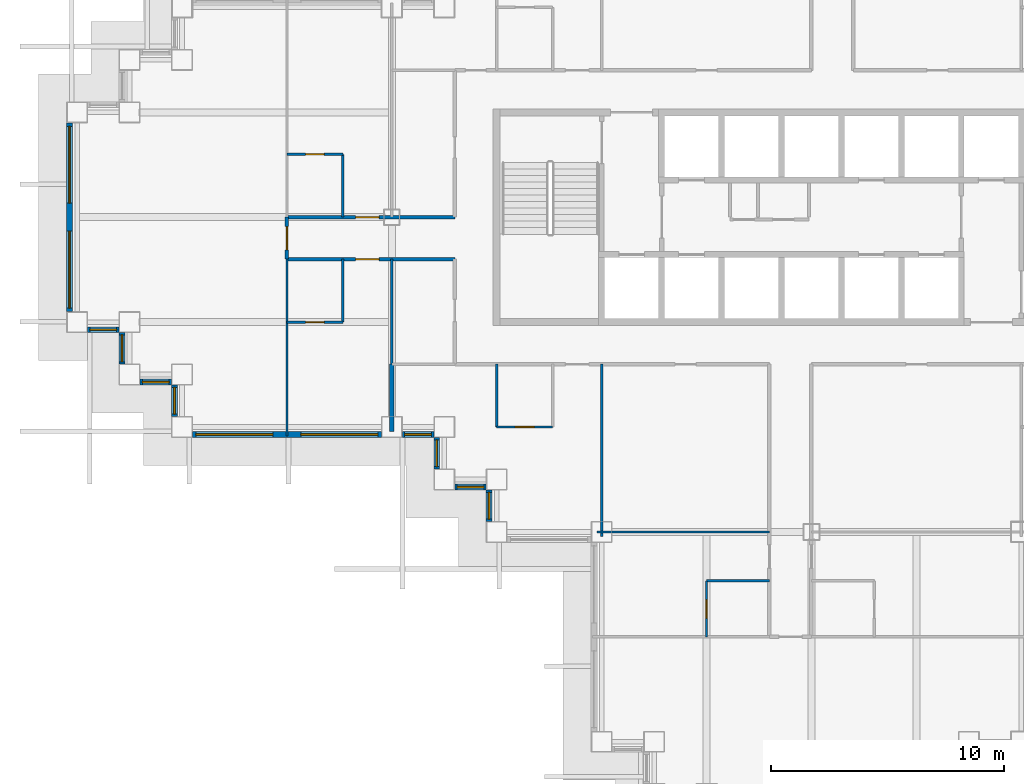
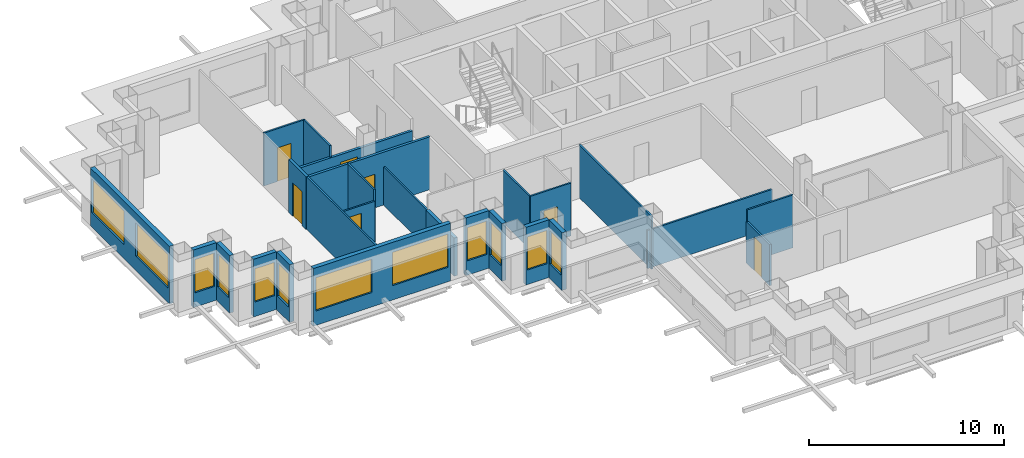
# One storey, part 3 of 15: 26 walls, 12 windows, 7 doors, 19 openings.
"""IFC4 building model written with IfcOpenShell, lengths in metres."""

from ifc_helpers import new_model, si_unit, direction, frame, frame_2d, origin, place, context, subcontext, project, spatial, rectangle, extrude, material, layer, layer_set, type_object, element, fill, save


model = new_model("IFC4")

# Units and contexts
model_context = context("Model", 3, precision=1e-05, world=origin(), true_north=direction((0.0, 1.0)))
body_context = subcontext(model_context, "Body", "Model", "MODEL_VIEW")
ifc_project = project(units=[si_unit("LENGTHUNIT", "METRE"), si_unit("AREAUNIT", "SQUARE_METRE"), si_unit("VOLUMEUNIT", "CUBIC_METRE"), si_unit("PLANEANGLEUNIT", "RADIAN"), si_unit("MASSUNIT", "GRAM", prefix="KILO")], contexts=[model_context])

# Site, building, storey
site_placement = place(None, origin())
site = spatial("IfcSite", under=ifc_project, at=site_placement, CompositionType="ELEMENT")
building_placement = place(site_placement, origin())
building = spatial("IfcBuilding", under=site, at=building_placement, Name="Caravel Reach Hotel and Residences", CompositionType="ELEMENT")
storey_placement = place(building_placement, frame((0.0, 0.0, 111.60009765625)))
storey = spatial("IfcBuildingStorey", under=building, at=storey_placement, Name="L27", CompositionType="ELEMENT", Elevation=111.60009765625)

# Wall
ifc_material_1 = material(Name="Gypsum board on steel stud", Category="steel")
ifc_layer_1 = layer(ifc_material_1, 0.10009765625)
ifc_layer_set_1 = layer_set([ifc_layer_1], Name="Bathroom pod wall 100 mm")
wall_type_1 = type_object("IfcWallType", Name="Bathroom pod wall 100 mm", PredefinedType="PARTITIONING", material=ifc_layer_set_1)
wall_1_placement = place(storey_placement, frame((27.0, 11.39990234375, 0.0), z_axis=(0.0, 0.0, 1.0), x_axis=(1.0, 0.0, 0.0)))
element("IfcWall", 1, at=wall_1_placement, inside=storey, type_object=wall_type_1, Name="L27 wall w068", PredefinedType="PARTITIONING", context=body_context, shape_type="SweptSolid", body=[
    extrude(rectangle(XDim=2.699951171875, YDim=0.10009765625, at=frame_2d((1.35009765625, 0.0))), origin(), (0.0, 0.0, 1.0), 3.2998046875),
])

# Wall, opening, door
wall_2_placement = place(storey_placement, frame((18.0, 18.0, 0.0), z_axis=(0.0, 0.0, 1.0), x_axis=(1.0, 0.0, 0.0)))
wall_2 = element("IfcWall", 2, at=wall_2_placement, inside=storey, type_object=wall_type_1, Name="L27 wall w069", PredefinedType="PARTITIONING", context=body_context, shape_type="SweptSolid", body=[
    extrude(rectangle(XDim=2.39990234375, YDim=0.10009765625, at=frame_2d((1.199951171875, 0.0))), origin(), (0.0, 0.0, 1.0), 3.2998046875),
])
opening_1_placement = place(wall_2_placement, frame((0.800048828125, 0.0, 0.0)))
opening_1 = element("IfcOpeningElement", 3, at=opening_1_placement, cuts=wall_2, Name="Opening D27-046", PredefinedType="OPENING", context=body_context, shape_type="SweptSolid", body=[
    extrude(rectangle(XDim=0.800048828125, YDim=2.10009765625, at=frame_2d((0.39990234375, 1.050048828125))), frame((0.0, 0.06005859375, 0.0), z_axis=(0.0, -1.0, 0.0), x_axis=(1.0, 0.0, 0.0)), (0.0, 0.0, 1.0), 0.1201171875),
])
ifc_material_2 = material(Name="Timber and steel door leaf", Category="steel")
door_type_1 = type_object("IfcDoorType", Name="Bathroom door 800 x 2100", OperationType="SINGLE_SWING_LEFT", PredefinedType="DOOR", material=ifc_material_2)
door_1_placement = place(opening_1_placement, origin())
door_1 = element("IfcDoor", 4, at=door_1_placement, inside=storey, type_object=door_type_1, Name="door D27-046", OperationType="SINGLE_SWING_LEFT", OverallHeight=2.10009765625, OverallWidth=0.800048828125, PredefinedType="DOOR", context=body_context, shape_type="SweptSolid", body=[
    extrude(rectangle(XDim=0.800048828125, YDim=2.10009765625, at=frame_2d((0.39990234375, 1.050048828125))), frame((0.0, 0.02490234375, 0.0), z_axis=(0.0, -1.0, 0.0), x_axis=(1.0, 0.0, 0.0)), (0.0, 0.0, 1.0), 0.050048828125),
])
fill(opening_1, door_1)

wall_3_placement = place(storey_placement, frame((9.0, 22.5, 0.0), z_axis=(0.0, 0.0, 1.0), x_axis=(1.0, 0.0, 0.0)))
wall_3 = element("IfcWall", 5, at=wall_3_placement, inside=storey, type_object=wall_type_1, Name="L27 wall w071", PredefinedType="PARTITIONING", context=body_context, shape_type="SweptSolid", body=[
    extrude(rectangle(XDim=2.39990234375, YDim=0.10009765625, at=frame_2d((1.199951171875, 0.0))), origin(), (0.0, 0.0, 1.0), 2.579833984375),
])
opening_2_placement = place(wall_3_placement, frame((0.800048828125, 0.0, 0.0)))
opening_2 = element("IfcOpeningElement", 6, at=opening_2_placement, cuts=wall_3, Name="Opening D27-017", PredefinedType="OPENING", context=body_context, shape_type="SweptSolid", body=[
    extrude(rectangle(XDim=0.800048828125, YDim=2.10009765625, at=frame_2d((0.39990234375, 1.050048828125))), frame((0.0, 0.06005859375, 0.0), z_axis=(0.0, -1.0, 0.0), x_axis=(1.0, 0.0, 0.0)), (0.0, 0.0, 1.0), 0.1201171875),
])
door_2_placement = place(opening_2_placement, origin())
door_2 = element("IfcDoor", 7, at=door_2_placement, inside=storey, type_object=door_type_1, Name="door D27-017", OperationType="SINGLE_SWING_RIGHT", OverallHeight=2.10009765625, OverallWidth=0.800048828125, PredefinedType="DOOR", context=body_context, shape_type="SweptSolid", body=[
    extrude(rectangle(XDim=0.800048828125, YDim=2.10009765625, at=frame_2d((0.39990234375, 1.050048828125))), frame((0.0, 0.02490234375, 0.0), z_axis=(0.0, -1.0, 0.0), x_axis=(1.0, 0.0, 0.0)), (0.0, 0.0, 1.0), 0.050048828125),
])
fill(opening_2, door_2)

wall_4_placement = place(storey_placement, frame((9.0, 29.699951171875, 0.0), z_axis=(0.0, 0.0, 1.0), x_axis=(1.0, 0.0, 0.0)))
wall_4 = element("IfcWall", 8, at=wall_4_placement, inside=storey, type_object=wall_type_1, Name="L27 wall w073", PredefinedType="PARTITIONING", context=body_context, shape_type="SweptSolid", body=[
    extrude(rectangle(XDim=2.39990234375, YDim=0.10009765625, at=frame_2d((1.199951171875, 0.0))), origin(), (0.0, 0.0, 1.0), 3.2998046875),
])
opening_3_placement = place(wall_4_placement, frame((0.800048828125, 0.0, 0.0)))
opening_3 = element("IfcOpeningElement", 9, at=opening_3_placement, cuts=wall_4, Name="Opening D27-019", PredefinedType="OPENING", context=body_context, shape_type="SweptSolid", body=[
    extrude(rectangle(XDim=0.800048828125, YDim=2.10009765625, at=frame_2d((0.39990234375, 1.050048828125))), frame((0.0, 0.06005859375, 0.0), z_axis=(0.0, -1.0, 0.0), x_axis=(1.0, 0.0, 0.0)), (0.0, 0.0, 1.0), 0.1201171875),
])
door_3_placement = place(opening_3_placement, origin())
door_3 = element("IfcDoor", 10, at=door_3_placement, inside=storey, type_object=door_type_1, Name="door D27-019", OperationType="SINGLE_SWING_LEFT", OverallHeight=2.10009765625, OverallWidth=0.800048828125, PredefinedType="DOOR", context=body_context, shape_type="SweptSolid", body=[
    extrude(rectangle(XDim=0.800048828125, YDim=2.10009765625, at=frame_2d((0.39990234375, 1.050048828125))), frame((0.0, 0.02490234375, 0.0), z_axis=(0.0, -1.0, 0.0), x_axis=(1.0, 0.0, 0.0)), (0.0, 0.0, 1.0), 0.050048828125),
])
fill(opening_3, door_3)

# Walls
for number, where, z_axis, x_axis, name in (
    (11, (11.39990234375, 27.0, 0.0), (0.0, 0.0, 1.0), (0.0, 1.0, 0.0), "L27 wall w080"),
    (12, (11.39990234375, 22.5, 0.0), (0.0, 0.0, 1.0), (0.0, 1.0, 0.0), "L27 wall w081"),
    (13, (18.0, 18.0, 0.0), (0.0, 0.0, 1.0), (0.0, 1.0, 0.0), "L27 wall w082"),
):
    element("IfcWall", number, at=place(storey_placement, frame(where, z_axis=z_axis, x_axis=x_axis)), inside=storey, type_object=wall_type_1, Name=name, PredefinedType="PARTITIONING", context=body_context, shape_type="SweptSolid", body=[
        extrude(rectangle(XDim=2.699951171875, YDim=0.10009765625, at=frame_2d((1.35009765625, 0.0))), origin(), (0.0, 0.0, 1.0), 3.2998046875),
    ])

# Wall, opening, door
wall_5_placement = place(storey_placement, frame((27.0, 9.0, 0.0), z_axis=(0.0, 0.0, 1.0), x_axis=(0.0, 1.0, 0.0)))
wall_5 = element("IfcWall", 14, at=wall_5_placement, inside=storey, type_object=wall_type_1, Name="L27 wall w085", PredefinedType="PARTITIONING", context=body_context, shape_type="SweptSolid", body=[
    extrude(rectangle(XDim=2.39990234375, YDim=0.10009765625, at=frame_2d((1.199951171875, 0.0))), origin(), (0.0, 0.0, 1.0), 2.579833984375),
])
opening_4_placement = place(wall_5_placement, frame((0.800048828125, 0.0, 0.0)))
opening_4 = element("IfcOpeningElement", 15, at=opening_4_placement, cuts=wall_5, Name="Opening D27-032", PredefinedType="OPENING", context=body_context, shape_type="SweptSolid", body=[
    extrude(rectangle(XDim=0.800048828125, YDim=2.10009765625, at=frame_2d((0.39990234375, 1.050048828125))), frame((0.0, 0.06005859375, 0.0), z_axis=(0.0, -1.0, 0.0), x_axis=(1.0, 0.0, 0.0)), (0.0, 0.0, 1.0), 0.1201171875),
])
door_4_placement = place(opening_4_placement, origin())
door_4 = element("IfcDoor", 16, at=door_4_placement, inside=storey, type_object=door_type_1, Name="door D27-032", OperationType="SINGLE_SWING_RIGHT", OverallHeight=2.10009765625, OverallWidth=0.800048828125, PredefinedType="DOOR", context=body_context, shape_type="SweptSolid", body=[
    extrude(rectangle(XDim=0.800048828125, YDim=2.10009765625, at=frame_2d((0.39990234375, 1.050048828125))), frame((0.0, 0.02490234375, 0.0), z_axis=(0.0, -1.0, 0.0), x_axis=(1.0, 0.0, 0.0)), (0.0, 0.0, 1.0), 0.050048828125),
])
fill(opening_4, door_4)

ifc_material_3 = material(Name="Gypsum board on steel stud, fire-rated", Category="steel")
ifc_layer_2 = layer(ifc_material_3, 0.14990234375)
ifc_layer_set_2 = layer_set([ifc_layer_2], Name="Corridor wall 150 mm EI 60")
wall_type_2 = type_object("IfcWallType", Name="Corridor wall 150 mm EI 60", PredefinedType="PARTITIONING", material=ifc_layer_set_2)
wall_6_placement = place(storey_placement, frame((9.0, 25.199951171875, 0.0), z_axis=(0.0, 0.0, 1.0), x_axis=(1.0, 0.0, 0.0)))
wall_6 = element("IfcWall", 17, at=wall_6_placement, inside=storey, type_object=wall_type_2, Name="L27 wall w006", PredefinedType="PARTITIONING", context=body_context, shape_type="SweptSolid", body=[
    extrude(rectangle(XDim=7.199951171875, YDim=0.14990234375, at=frame_2d((3.60009765625, 0.0))), origin(), (0.0, 0.0, 1.0), 3.2998046875),
])
opening_5_placement = place(wall_6_placement, frame((2.949951171875, 0.0, 0.0)))
opening_5 = element("IfcOpeningElement", 18, at=opening_5_placement, cuts=wall_6, Name="Opening D27-016", PredefinedType="OPENING", context=body_context, shape_type="SweptSolid", body=[
    extrude(rectangle(XDim=1.0, YDim=2.10009765625, at=frame_2d((0.5, 1.050048828125))), frame((0.0, 0.0849609375, 0.0), z_axis=(0.0, -1.0, 0.0), x_axis=(1.0, 0.0, 0.0)), (0.0, 0.0, 1.0), 0.169921875),
])
ifc_material_4 = material(Name="Steel fire door leaf", Category="steel")
door_type_2 = type_object("IfcDoorType", Name="Guest room door 1000 x 2100 EI 30", OperationType="SINGLE_SWING_LEFT", PredefinedType="DOOR", material=ifc_material_4)
door_5_placement = place(opening_5_placement, origin())
door_5 = element("IfcDoor", 19, at=door_5_placement, inside=storey, type_object=door_type_2, Name="door D27-016", OperationType="SINGLE_SWING_RIGHT", OverallHeight=2.10009765625, OverallWidth=1.0, PredefinedType="DOOR", context=body_context, shape_type="SweptSolid", body=[
    extrude(rectangle(XDim=1.0, YDim=2.10009765625, at=frame_2d((0.5, 1.050048828125))), frame((0.0, 0.02490234375, 0.0), z_axis=(0.0, -1.0, 0.0), x_axis=(1.0, 0.0, 0.0)), (0.0, 0.0, 1.0), 0.050048828125),
])
fill(opening_5, door_5)

wall_7_placement = place(storey_placement, frame((9.0, 27.0, 0.0), z_axis=(0.0, 0.0, 1.0), x_axis=(1.0, 0.0, 0.0)))
wall_7 = element("IfcWall", 20, at=wall_7_placement, inside=storey, type_object=wall_type_2, Name="L27 wall w009", PredefinedType="PARTITIONING", context=body_context, shape_type="SweptSolid", body=[
    extrude(rectangle(XDim=7.199951171875, YDim=0.14990234375, at=frame_2d((3.60009765625, 0.0))), origin(), (0.0, 0.0, 1.0), 2.579833984375),
])
opening_6_placement = place(wall_7_placement, frame((2.949951171875, 0.0, 0.0)))
opening_6 = element("IfcOpeningElement", 21, at=opening_6_placement, cuts=wall_7, Name="Opening D27-018", PredefinedType="OPENING", context=body_context, shape_type="SweptSolid", body=[
    extrude(rectangle(XDim=1.0, YDim=2.10009765625, at=frame_2d((0.5, 1.050048828125))), frame((0.0, 0.0849609375, 0.0), z_axis=(0.0, -1.0, 0.0), x_axis=(1.0, 0.0, 0.0)), (0.0, 0.0, 1.0), 0.169921875),
])
door_6_placement = place(opening_6_placement, origin())
door_6 = element("IfcDoor", 22, at=door_6_placement, inside=storey, type_object=door_type_2, Name="door D27-018", OperationType="SINGLE_SWING_RIGHT", OverallHeight=2.10009765625, OverallWidth=1.0, PredefinedType="DOOR", context=body_context, shape_type="SweptSolid", body=[
    extrude(rectangle(XDim=1.0, YDim=2.10009765625, at=frame_2d((0.5, 1.050048828125))), frame((0.0, 0.02490234375, 0.0), z_axis=(0.0, -1.0, 0.0), x_axis=(1.0, 0.0, 0.0)), (0.0, 0.0, 1.0), 0.050048828125),
])
fill(opening_6, door_6)

wall_8_placement = place(storey_placement, frame((9.0, 25.199951171875, 0.0), z_axis=(0.0, 0.0, 1.0), x_axis=(0.0, 1.0, 0.0)))
wall_8 = element("IfcWall", 23, at=wall_8_placement, inside=storey, type_object=wall_type_2, Name="L27 wall w036", PredefinedType="PARTITIONING", context=body_context, shape_type="SweptSolid", body=[
    extrude(rectangle(XDim=1.800048828125, YDim=0.14990234375, at=frame_2d((0.89990234375, 0.0))), origin(), (0.0, 0.0, 1.0), 3.2998046875),
])
opening_7_placement = place(wall_8_placement, frame((0.39990234375, 0.0, 0.0)))
opening_7 = element("IfcOpeningElement", 24, at=opening_7_placement, cuts=wall_8, Name="Opening D27-035", PredefinedType="OPENING", context=body_context, shape_type="SweptSolid", body=[
    extrude(rectangle(XDim=1.0, YDim=2.10009765625, at=frame_2d((0.5, 1.050048828125))), frame((0.0, 0.0849609375, 0.0), z_axis=(0.0, -1.0, 0.0), x_axis=(1.0, 0.0, 0.0)), (0.0, 0.0, 1.0), 0.169921875),
])
door_7_placement = place(opening_7_placement, origin())
door_7 = element("IfcDoor", 25, at=door_7_placement, inside=storey, type_object=door_type_2, Name="door D27-035", OperationType="SINGLE_SWING_RIGHT", OverallHeight=2.10009765625, OverallWidth=1.0, PredefinedType="DOOR", context=body_context, shape_type="SweptSolid", body=[
    extrude(rectangle(XDim=1.0, YDim=2.10009765625, at=frame_2d((0.5, 1.050048828125))), frame((0.0, 0.02490234375, 0.0), z_axis=(0.0, -1.0, 0.0), x_axis=(1.0, 0.0, 0.0)), (0.0, 0.0, 1.0), 0.050048828125),
])
fill(opening_7, door_7)

# Wall, openings, windows
ifc_material_5 = material(Name="Insulated rainscreen wall, aluminium cladding", Category="aluminium")
ifc_layer_3 = layer(ifc_material_5, 0.25)
ifc_layer_set_3 = layer_set([ifc_layer_3], Name="EW1 Tower rainscreen wall")
wall_type_3 = type_object("IfcWallType", Name="EW1 Tower rainscreen wall", PredefinedType="SOLIDWALL", material=ifc_layer_set_3)
wall_9_placement = place(storey_placement, frame((-0.324951171875, 31.050048828125, 0.0), z_axis=(0.0, 0.0, 1.0), x_axis=(0.0, -1.0, 0.0)))
wall_9 = element("IfcWall", 26, at=wall_9_placement, inside=storey, type_object=wall_type_3, Name="External wall L27 W50.1", PredefinedType="SOLIDWALL", context=body_context, shape_type="SweptSolid", body=[
    extrude(rectangle(XDim=8.10009765625, YDim=0.25, at=frame_2d((4.050048828125, 0.0))), origin(), (0.0, 0.0, 1.0), 3.599853515625),
])
opening_8_placement = place(wall_9_placement, frame((0.14990234375, 0.0, 0.89990234375)))
opening_8 = element("IfcOpeningElement", 27, at=opening_8_placement, cuts=wall_9, Name="Opening WN4", PredefinedType="OPENING", context=body_context, shape_type="SweptSolid", body=[
    extrude(rectangle(XDim=3.300048828125, YDim=2.080078125, at=frame_2d((1.64990234375, 1.0400390625))), frame((0.0, 0.135009765625, 0.0), z_axis=(0.0, -1.0, 0.0), x_axis=(1.0, 0.0, 0.0)), (0.0, 0.0, 1.0), 0.27001953125),
])
opening_9_placement = place(wall_9_placement, frame((4.64990234375, 0.0, 0.89990234375)))
opening_9 = element("IfcOpeningElement", 28, at=opening_9_placement, cuts=wall_9, Name="Opening WN4", PredefinedType="OPENING", context=body_context, shape_type="SweptSolid", body=[
    extrude(rectangle(XDim=3.300048828125, YDim=2.080078125, at=frame_2d((1.64990234375, 1.0400390625))), frame((0.0, 0.135009765625, 0.0), z_axis=(0.0, -1.0, 0.0), x_axis=(1.0, 0.0, 0.0)), (0.0, 0.0, 1.0), 0.27001953125),
])
ifc_material_6 = material(Name="Dark low-e glazing in black aluminium frame", Category="aluminium")
window_type_1 = type_object("IfcWindowType", Name="Hotel guest room window 3300 x 2080", PartitioningType="SINGLE_PANEL", PredefinedType="WINDOW", material=ifc_material_6)
window_1_placement = place(opening_8_placement, origin())
window_1 = element("IfcWindow", 29, at=window_1_placement, inside=storey, type_object=window_type_1, Name="Window L27 W50.1.1", OverallHeight=2.080078125, OverallWidth=3.300048828125, PartitioningType="SINGLE_PANEL", PredefinedType="WINDOW", context=body_context, shape_type="SweptSolid", body=[
    extrude(rectangle(XDim=3.300048828125, YDim=2.080078125, at=frame_2d((1.64990234375, 1.0400390625))), frame((0.0, 0.030029296875, 0.0), z_axis=(0.0, -1.0, 0.0), x_axis=(1.0, 0.0, 0.0)), (0.0, 0.0, 1.0), 0.06005859375),
])
fill(opening_8, window_1)
window_2_placement = place(opening_9_placement, origin())
window_2 = element("IfcWindow", 30, at=window_2_placement, inside=storey, type_object=window_type_1, Name="Window L27 W50.1.2", OverallHeight=2.080078125, OverallWidth=3.300048828125, PartitioningType="SINGLE_PANEL", PredefinedType="WINDOW", context=body_context, shape_type="SweptSolid", body=[
    extrude(rectangle(XDim=3.300048828125, YDim=2.080078125, at=frame_2d((1.64990234375, 1.0400390625))), frame((0.0, 0.030029296875, 0.0), z_axis=(0.0, -1.0, 0.0), x_axis=(1.0, 0.0, 0.0)), (0.0, 0.0, 1.0), 0.06005859375),
])
fill(opening_9, window_2)

# Wall, opening, window
wall_10_placement = place(storey_placement, frame((0.449951171875, 22.175048828125, 0.0), z_axis=(0.0, 0.0, 1.0), x_axis=(1.0, 0.0, 0.0)))
wall_10 = element("IfcWall", 31, at=wall_10_placement, inside=storey, type_object=wall_type_3, Name="External wall L27 S51.1", PredefinedType="SOLIDWALL", context=body_context, shape_type="SweptSolid", body=[
    extrude(rectangle(XDim=1.35009765625, YDim=0.25, at=frame_2d((0.675048828125, 0.0))), origin(), (0.0, 0.0, 1.0), 3.599853515625),
])
opening_10_placement = place(wall_10_placement, frame((0.10009765625, 0.0, 0.89990234375)))
opening_10 = element("IfcOpeningElement", 32, at=opening_10_placement, cuts=wall_10, Name="Opening WN8", PredefinedType="OPENING", context=body_context, shape_type="SweptSolid", body=[
    extrude(rectangle(XDim=1.14990234375, YDim=2.080078125, at=frame_2d((0.574951171875, 1.0400390625))), frame((0.0, 0.135009765625, 0.0), z_axis=(0.0, -1.0, 0.0), x_axis=(1.0, 0.0, 0.0)), (0.0, 0.0, 1.0), 0.27001953125),
])
ifc_material_7 = material(Name="Dark low-e glazing in black aluminium frame", Category="aluminium")
window_type_2 = type_object("IfcWindowType", Name="Hotel suite corner window 1150 x 2080", PartitioningType="SINGLE_PANEL", PredefinedType="WINDOW", material=ifc_material_7)
window_3_placement = place(opening_10_placement, origin())
window_3 = element("IfcWindow", 33, at=window_3_placement, inside=storey, type_object=window_type_2, Name="Window L27 S51.1.1", OverallHeight=2.080078125, OverallWidth=1.14990234375, PartitioningType="SINGLE_PANEL", PredefinedType="WINDOW", context=body_context, shape_type="SweptSolid", body=[
    extrude(rectangle(XDim=1.14990234375, YDim=2.080078125, at=frame_2d((0.574951171875, 1.0400390625))), frame((0.0, 0.030029296875, 0.0), z_axis=(0.0, -1.0, 0.0), x_axis=(1.0, 0.0, 0.0)), (0.0, 0.0, 1.0), 0.06005859375),
])
fill(opening_10, window_3)

wall_11_placement = place(storey_placement, frame((1.925048828125, 22.050048828125, 0.0), z_axis=(0.0, 0.0, 1.0), x_axis=(0.0, -1.0, 0.0)))
wall_11 = element("IfcWall", 34, at=wall_11_placement, inside=storey, type_object=wall_type_3, Name="External wall L27 W52.1", PredefinedType="SOLIDWALL", context=body_context, shape_type="SweptSolid", body=[
    extrude(rectangle(XDim=1.35009765625, YDim=0.25, at=frame_2d((0.675048828125, 0.0))), origin(), (0.0, 0.0, 1.0), 3.599853515625),
])
opening_11_placement = place(wall_11_placement, frame((0.10009765625, 0.0, 0.89990234375)))
opening_11 = element("IfcOpeningElement", 35, at=opening_11_placement, cuts=wall_11, Name="Opening WN8", PredefinedType="OPENING", context=body_context, shape_type="SweptSolid", body=[
    extrude(rectangle(XDim=1.14990234375, YDim=2.080078125, at=frame_2d((0.574951171875, 1.0400390625))), frame((0.0, 0.135009765625, 0.0), z_axis=(0.0, -1.0, 0.0), x_axis=(1.0, 0.0, 0.0)), (0.0, 0.0, 1.0), 0.27001953125),
])
window_4_placement = place(opening_11_placement, origin())
window_4 = element("IfcWindow", 36, at=window_4_placement, inside=storey, type_object=window_type_2, Name="Window L27 W52.1.1", OverallHeight=2.080078125, OverallWidth=1.14990234375, PartitioningType="SINGLE_PANEL", PredefinedType="WINDOW", context=body_context, shape_type="SweptSolid", body=[
    extrude(rectangle(XDim=1.14990234375, YDim=2.080078125, at=frame_2d((0.574951171875, 1.0400390625))), frame((0.0, 0.030029296875, 0.0), z_axis=(0.0, -1.0, 0.0), x_axis=(1.0, 0.0, 0.0)), (0.0, 0.0, 1.0), 0.06005859375),
])
fill(opening_11, window_4)

wall_12_placement = place(storey_placement, frame((2.699951171875, 19.925048828125, 0.0), z_axis=(0.0, 0.0, 1.0), x_axis=(1.0, 0.0, 0.0)))
wall_12 = element("IfcWall", 37, at=wall_12_placement, inside=storey, type_object=wall_type_3, Name="External wall L27 S53.1", PredefinedType="SOLIDWALL", context=body_context, shape_type="SweptSolid", body=[
    extrude(rectangle(XDim=1.35009765625, YDim=0.25, at=frame_2d((0.675048828125, 0.0))), origin(), (0.0, 0.0, 1.0), 3.599853515625),
])
opening_12_placement = place(wall_12_placement, frame((0.10009765625, 0.0, 0.89990234375)))
opening_12 = element("IfcOpeningElement", 38, at=opening_12_placement, cuts=wall_12, Name="Opening WN8", PredefinedType="OPENING", context=body_context, shape_type="SweptSolid", body=[
    extrude(rectangle(XDim=1.14990234375, YDim=2.080078125, at=frame_2d((0.574951171875, 1.0400390625))), frame((0.0, 0.135009765625, 0.0), z_axis=(0.0, -1.0, 0.0), x_axis=(1.0, 0.0, 0.0)), (0.0, 0.0, 1.0), 0.27001953125),
])
window_5_placement = place(opening_12_placement, origin())
window_5 = element("IfcWindow", 39, at=window_5_placement, inside=storey, type_object=window_type_2, Name="Window L27 S53.1.1", OverallHeight=2.080078125, OverallWidth=1.14990234375, PartitioningType="SINGLE_PANEL", PredefinedType="WINDOW", context=body_context, shape_type="SweptSolid", body=[
    extrude(rectangle(XDim=1.14990234375, YDim=2.080078125, at=frame_2d((0.574951171875, 1.0400390625))), frame((0.0, 0.030029296875, 0.0), z_axis=(0.0, -1.0, 0.0), x_axis=(1.0, 0.0, 0.0)), (0.0, 0.0, 1.0), 0.06005859375),
])
fill(opening_12, window_5)

wall_13_placement = place(storey_placement, frame((4.175048828125, 19.800048828125, 0.0), z_axis=(0.0, 0.0, 1.0), x_axis=(0.0, -1.0, 0.0)))
wall_13 = element("IfcWall", 40, at=wall_13_placement, inside=storey, type_object=wall_type_3, Name="External wall L27 W54.1", PredefinedType="SOLIDWALL", context=body_context, shape_type="SweptSolid", body=[
    extrude(rectangle(XDim=1.35009765625, YDim=0.25, at=frame_2d((0.675048828125, 0.0))), origin(), (0.0, 0.0, 1.0), 3.599853515625),
])
opening_13_placement = place(wall_13_placement, frame((0.10009765625, 0.0, 0.89990234375)))
opening_13 = element("IfcOpeningElement", 41, at=opening_13_placement, cuts=wall_13, Name="Opening WN8", PredefinedType="OPENING", context=body_context, shape_type="SweptSolid", body=[
    extrude(rectangle(XDim=1.14990234375, YDim=2.080078125, at=frame_2d((0.574951171875, 1.0400390625))), frame((0.0, 0.135009765625, 0.0), z_axis=(0.0, -1.0, 0.0), x_axis=(1.0, 0.0, 0.0)), (0.0, 0.0, 1.0), 0.27001953125),
])
window_6_placement = place(opening_13_placement, origin())
window_6 = element("IfcWindow", 42, at=window_6_placement, inside=storey, type_object=window_type_2, Name="Window L27 W54.1.1", OverallHeight=2.080078125, OverallWidth=1.14990234375, PartitioningType="SINGLE_PANEL", PredefinedType="WINDOW", context=body_context, shape_type="SweptSolid", body=[
    extrude(rectangle(XDim=1.14990234375, YDim=2.080078125, at=frame_2d((0.574951171875, 1.0400390625))), frame((0.0, 0.030029296875, 0.0), z_axis=(0.0, -1.0, 0.0), x_axis=(1.0, 0.0, 0.0)), (0.0, 0.0, 1.0), 0.06005859375),
])
fill(opening_13, window_6)

# Wall, openings, windows
wall_14_placement = place(storey_placement, frame((4.949951171875, 17.675048828125, 0.0), z_axis=(0.0, 0.0, 1.0), x_axis=(1.0, 0.0, 0.0)))
wall_14 = element("IfcWall", 43, at=wall_14_placement, inside=storey, type_object=wall_type_3, Name="External wall L27 S55.1", PredefinedType="SOLIDWALL", context=body_context, shape_type="SweptSolid", body=[
    extrude(rectangle(XDim=8.10009765625, YDim=0.25, at=frame_2d((4.050048828125, 0.0))), origin(), (0.0, 0.0, 1.0), 3.599853515625),
])
opening_14_placement = place(wall_14_placement, frame((0.14990234375, 0.0, 0.89990234375)))
opening_14 = element("IfcOpeningElement", 44, at=opening_14_placement, cuts=wall_14, Name="Opening WN4", PredefinedType="OPENING", context=body_context, shape_type="SweptSolid", body=[
    extrude(rectangle(XDim=3.300048828125, YDim=2.080078125, at=frame_2d((1.64990234375, 1.0400390625))), frame((0.0, 0.135009765625, 0.0), z_axis=(0.0, -1.0, 0.0), x_axis=(1.0, 0.0, 0.0)), (0.0, 0.0, 1.0), 0.27001953125),
])
opening_15_placement = place(wall_14_placement, frame((4.64990234375, 0.0, 0.89990234375)))
opening_15 = element("IfcOpeningElement", 45, at=opening_15_placement, cuts=wall_14, Name="Opening WN4", PredefinedType="OPENING", context=body_context, shape_type="SweptSolid", body=[
    extrude(rectangle(XDim=3.300048828125, YDim=2.080078125, at=frame_2d((1.64990234375, 1.0400390625))), frame((0.0, 0.135009765625, 0.0), z_axis=(0.0, -1.0, 0.0), x_axis=(1.0, 0.0, 0.0)), (0.0, 0.0, 1.0), 0.27001953125),
])
window_7_placement = place(opening_14_placement, origin())
window_7 = element("IfcWindow", 46, at=window_7_placement, inside=storey, type_object=window_type_1, Name="Window L27 S55.1.1", OverallHeight=2.080078125, OverallWidth=3.300048828125, PartitioningType="SINGLE_PANEL", PredefinedType="WINDOW", context=body_context, shape_type="SweptSolid", body=[
    extrude(rectangle(XDim=3.300048828125, YDim=2.080078125, at=frame_2d((1.64990234375, 1.0400390625))), frame((0.0, 0.030029296875, 0.0), z_axis=(0.0, -1.0, 0.0), x_axis=(1.0, 0.0, 0.0)), (0.0, 0.0, 1.0), 0.06005859375),
])
fill(opening_14, window_7)
window_8_placement = place(opening_15_placement, origin())
window_8 = element("IfcWindow", 47, at=window_8_placement, inside=storey, type_object=window_type_1, Name="Window L27 S55.1.2", OverallHeight=2.080078125, OverallWidth=3.300048828125, PartitioningType="SINGLE_PANEL", PredefinedType="WINDOW", context=body_context, shape_type="SweptSolid", body=[
    extrude(rectangle(XDim=3.300048828125, YDim=2.080078125, at=frame_2d((1.64990234375, 1.0400390625))), frame((0.0, 0.030029296875, 0.0), z_axis=(0.0, -1.0, 0.0), x_axis=(1.0, 0.0, 0.0)), (0.0, 0.0, 1.0), 0.06005859375),
])
fill(opening_15, window_8)

# Wall, opening, window
wall_15_placement = place(storey_placement, frame((13.949951171875, 17.675048828125, 0.0), z_axis=(0.0, 0.0, 1.0), x_axis=(1.0, 0.0, 0.0)))
wall_15 = element("IfcWall", 48, at=wall_15_placement, inside=storey, type_object=wall_type_3, Name="External wall L27 S55.2", PredefinedType="SOLIDWALL", context=body_context, shape_type="SweptSolid", body=[
    extrude(rectangle(XDim=1.35009765625, YDim=0.25, at=frame_2d((0.675048828125, 0.0))), origin(), (0.0, 0.0, 1.0), 3.599853515625),
])
opening_16_placement = place(wall_15_placement, frame((0.10009765625, 0.0, 0.89990234375)))
opening_16 = element("IfcOpeningElement", 49, at=opening_16_placement, cuts=wall_15, Name="Opening WN8", PredefinedType="OPENING", context=body_context, shape_type="SweptSolid", body=[
    extrude(rectangle(XDim=1.14990234375, YDim=2.080078125, at=frame_2d((0.574951171875, 1.0400390625))), frame((0.0, 0.135009765625, 0.0), z_axis=(0.0, -1.0, 0.0), x_axis=(1.0, 0.0, 0.0)), (0.0, 0.0, 1.0), 0.27001953125),
])
window_9_placement = place(opening_16_placement, origin())
window_9 = element("IfcWindow", 50, at=window_9_placement, inside=storey, type_object=window_type_2, Name="Window L27 S55.2.1", OverallHeight=2.080078125, OverallWidth=1.14990234375, PartitioningType="SINGLE_PANEL", PredefinedType="WINDOW", context=body_context, shape_type="SweptSolid", body=[
    extrude(rectangle(XDim=1.14990234375, YDim=2.080078125, at=frame_2d((0.574951171875, 1.0400390625))), frame((0.0, 0.030029296875, 0.0), z_axis=(0.0, -1.0, 0.0), x_axis=(1.0, 0.0, 0.0)), (0.0, 0.0, 1.0), 0.06005859375),
])
fill(opening_16, window_9)

wall_16_placement = place(storey_placement, frame((15.425048828125, 17.550048828125, 0.0), z_axis=(0.0, 0.0, 1.0), x_axis=(0.0, -1.0, 0.0)))
wall_16 = element("IfcWall", 51, at=wall_16_placement, inside=storey, type_object=wall_type_3, Name="External wall L27 W56.1", PredefinedType="SOLIDWALL", context=body_context, shape_type="SweptSolid", body=[
    extrude(rectangle(XDim=1.35009765625, YDim=0.25, at=frame_2d((0.675048828125, 0.0))), origin(), (0.0, 0.0, 1.0), 3.599853515625),
])
opening_17_placement = place(wall_16_placement, frame((0.10009765625, 0.0, 0.89990234375)))
opening_17 = element("IfcOpeningElement", 52, at=opening_17_placement, cuts=wall_16, Name="Opening WN8", PredefinedType="OPENING", context=body_context, shape_type="SweptSolid", body=[
    extrude(rectangle(XDim=1.14990234375, YDim=2.080078125, at=frame_2d((0.574951171875, 1.0400390625))), frame((0.0, 0.135009765625, 0.0), z_axis=(0.0, -1.0, 0.0), x_axis=(1.0, 0.0, 0.0)), (0.0, 0.0, 1.0), 0.27001953125),
])
window_10_placement = place(opening_17_placement, origin())
window_10 = element("IfcWindow", 53, at=window_10_placement, inside=storey, type_object=window_type_2, Name="Window L27 W56.1.1", OverallHeight=2.080078125, OverallWidth=1.14990234375, PartitioningType="SINGLE_PANEL", PredefinedType="WINDOW", context=body_context, shape_type="SweptSolid", body=[
    extrude(rectangle(XDim=1.14990234375, YDim=2.080078125, at=frame_2d((0.574951171875, 1.0400390625))), frame((0.0, 0.030029296875, 0.0), z_axis=(0.0, -1.0, 0.0), x_axis=(1.0, 0.0, 0.0)), (0.0, 0.0, 1.0), 0.06005859375),
])
fill(opening_17, window_10)

wall_17_placement = place(storey_placement, frame((16.199951171875, 15.425048828125, 0.0), z_axis=(0.0, 0.0, 1.0), x_axis=(1.0, 0.0, 0.0)))
wall_17 = element("IfcWall", 54, at=wall_17_placement, inside=storey, type_object=wall_type_3, Name="External wall L27 S57.1", PredefinedType="SOLIDWALL", context=body_context, shape_type="SweptSolid", body=[
    extrude(rectangle(XDim=1.35009765625, YDim=0.25, at=frame_2d((0.675048828125, 0.0))), origin(), (0.0, 0.0, 1.0), 3.599853515625),
])
opening_18_placement = place(wall_17_placement, frame((0.10009765625, 0.0, 0.89990234375)))
opening_18 = element("IfcOpeningElement", 55, at=opening_18_placement, cuts=wall_17, Name="Opening WN8", PredefinedType="OPENING", context=body_context, shape_type="SweptSolid", body=[
    extrude(rectangle(XDim=1.14990234375, YDim=2.080078125, at=frame_2d((0.574951171875, 1.0400390625))), frame((0.0, 0.135009765625, 0.0), z_axis=(0.0, -1.0, 0.0), x_axis=(1.0, 0.0, 0.0)), (0.0, 0.0, 1.0), 0.27001953125),
])
window_11_placement = place(opening_18_placement, origin())
window_11 = element("IfcWindow", 56, at=window_11_placement, inside=storey, type_object=window_type_2, Name="Window L27 S57.1.1", OverallHeight=2.080078125, OverallWidth=1.14990234375, PartitioningType="SINGLE_PANEL", PredefinedType="WINDOW", context=body_context, shape_type="SweptSolid", body=[
    extrude(rectangle(XDim=1.14990234375, YDim=2.080078125, at=frame_2d((0.574951171875, 1.0400390625))), frame((0.0, 0.030029296875, 0.0), z_axis=(0.0, -1.0, 0.0), x_axis=(1.0, 0.0, 0.0)), (0.0, 0.0, 1.0), 0.06005859375),
])
fill(opening_18, window_11)

wall_18_placement = place(storey_placement, frame((17.675048828125, 15.300048828125, 0.0), z_axis=(0.0, 0.0, 1.0), x_axis=(0.0, -1.0, 0.0)))
wall_18 = element("IfcWall", 57, at=wall_18_placement, inside=storey, type_object=wall_type_3, Name="External wall L27 W58.1", PredefinedType="SOLIDWALL", context=body_context, shape_type="SweptSolid", body=[
    extrude(rectangle(XDim=1.35009765625, YDim=0.25, at=frame_2d((0.675048828125, 0.0))), origin(), (0.0, 0.0, 1.0), 3.599853515625),
])
opening_19_placement = place(wall_18_placement, frame((0.10009765625, 0.0, 0.89990234375)))
opening_19 = element("IfcOpeningElement", 58, at=opening_19_placement, cuts=wall_18, Name="Opening WN8", PredefinedType="OPENING", context=body_context, shape_type="SweptSolid", body=[
    extrude(rectangle(XDim=1.14990234375, YDim=2.080078125, at=frame_2d((0.574951171875, 1.0400390625))), frame((0.0, 0.135009765625, 0.0), z_axis=(0.0, -1.0, 0.0), x_axis=(1.0, 0.0, 0.0)), (0.0, 0.0, 1.0), 0.27001953125),
])
window_12_placement = place(opening_19_placement, origin())
window_12 = element("IfcWindow", 59, at=window_12_placement, inside=storey, type_object=window_type_2, Name="Window L27 W58.1.1", OverallHeight=2.080078125, OverallWidth=1.14990234375, PartitioningType="SINGLE_PANEL", PredefinedType="WINDOW", context=body_context, shape_type="SweptSolid", body=[
    extrude(rectangle(XDim=1.14990234375, YDim=2.080078125, at=frame_2d((0.574951171875, 1.0400390625))), frame((0.0, 0.030029296875, 0.0), z_axis=(0.0, -1.0, 0.0), x_axis=(1.0, 0.0, 0.0)), (0.0, 0.0, 1.0), 0.06005859375),
])
fill(opening_19, window_12)

# Walls
ifc_material_8 = material(Name="Gypsum board on steel stud", Category="steel")
ifc_layer_4 = layer(ifc_material_8, 0.10009765625)
ifc_layer_set_4 = layer_set([ifc_layer_4], Name="Partition 100 mm")
wall_type_4 = type_object("IfcWallType", Name="Partition 100 mm", PredefinedType="PARTITIONING", material=ifc_layer_set_4)
wall_19_placement = place(storey_placement, frame((22.31005859375, 13.5, 0.0), z_axis=(0.0, 0.0, 1.0), x_axis=(1.0, 0.0, 0.0)))
element("IfcWall", 60, at=wall_19_placement, inside=storey, type_object=wall_type_4, Name="L27 wall w038", PredefinedType="PARTITIONING", context=body_context, shape_type="SweptSolid", body=[
    extrude(rectangle(XDim=7.389892578125, YDim=0.10009765625, at=frame_2d((3.69482421875, 0.0))), origin(), (0.0, 0.0, 1.0), 2.3798828125),
])
wall_20_placement = place(storey_placement, frame((13.5, 20.699951171875, 0.0), z_axis=(0.0, 0.0, 1.0), x_axis=(0.0, 1.0, 0.0)))
element("IfcWall", 61, at=wall_20_placement, inside=storey, type_object=wall_type_4, Name="L27 wall w051", PredefinedType="PARTITIONING", context=body_context, shape_type="SweptSolid", body=[
    extrude(rectangle(XDim=4.5, YDim=0.10009765625, at=frame_2d((2.25, 0.0))), origin(), (0.0, 0.0, 1.0), 2.3798828125),
])
wall_21_placement = place(storey_placement, frame((22.5, 13.31005859375, 0.0), z_axis=(0.0, 0.0, 1.0), x_axis=(0.0, 1.0, 0.0)))
element("IfcWall", 62, at=wall_21_placement, inside=storey, type_object=wall_type_4, Name="L27 wall w054", PredefinedType="PARTITIONING", context=body_context, shape_type="SweptSolid", body=[
    extrude(rectangle(XDim=7.389892578125, YDim=0.10009765625, at=frame_2d((3.69482421875, 0.0))), origin(), (0.0, 0.0, 1.0), 3.2998046875),
])
wall_22_placement = place(storey_placement, frame((9.0, 17.610107421875, 0.0), z_axis=(0.0, 0.0, 1.0), x_axis=(0.0, 1.0, 0.0)))
element("IfcWall", 63, at=wall_22_placement, inside=storey, type_object=wall_type_4, Name="L27 wall w064", PredefinedType="PARTITIONING", context=body_context, shape_type="SweptSolid", body=[
    extrude(rectangle(XDim=7.58984375, YDim=0.10009765625, at=frame_2d((3.794921875, 0.0))), origin(), (0.0, 0.0, 1.0), 3.2998046875),
])
ifc_material_9 = material(Name="Autoclaved aerated block wall")
ifc_layer_5 = layer(ifc_material_9, 0.199951171875)
ifc_layer_set_5 = layer_set([ifc_layer_5], Name="Party wall 200 mm EI 60")
wall_type_5 = type_object("IfcWallType", Name="Party wall 200 mm EI 60", PredefinedType="PARTITIONING", material=ifc_layer_set_5)
wall_23_placement = place(storey_placement, frame((13.5, 17.81005859375, 0.0), z_axis=(0.0, 0.0, 1.0), x_axis=(0.0, 1.0, 0.0)))
element("IfcWall", 64, at=wall_23_placement, inside=storey, type_object=wall_type_5, Name="L27 wall w066", PredefinedType="PARTITIONING", context=body_context, shape_type="SweptSolid", body=[
    extrude(rectangle(XDim=2.889892578125, YDim=0.199951171875, at=frame_2d((1.44482421875, 0.0))), origin(), (0.0, 0.0, 1.0), 2.3798828125),
])

save(model, "model.ifc")
